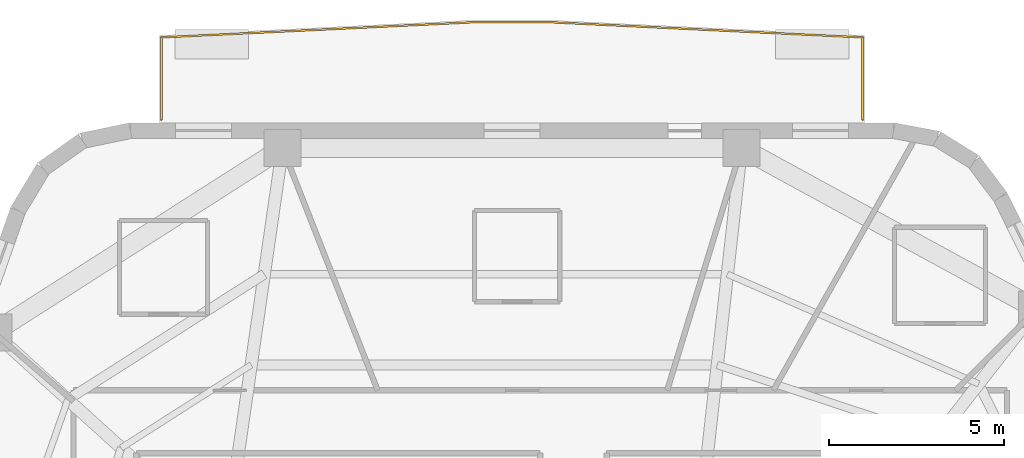
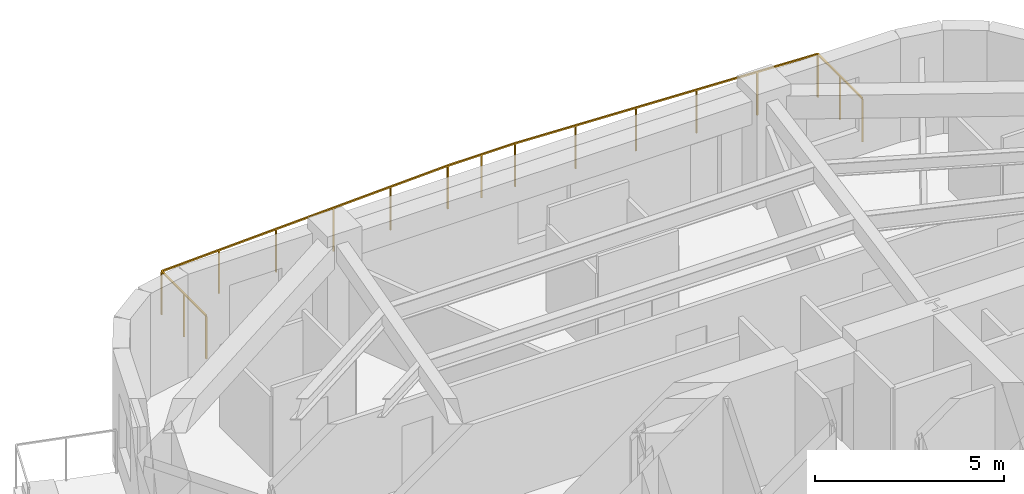
# One storey, part 11 of 11: 1 railing.
"""IFC4 building model written with IfcOpenShell, lengths in metres."""

from ifc_helpers import new_model, si_unit, direction, frame, origin, origin_2d, place, context, subcontext, project, spatial, rectangle, extrude, material, layer, layer_set, type_object, element, save


model = new_model("IFC4")

# Units and contexts
model_context = context("Model", 3, precision=1e-05, world=origin(), true_north=direction((0.0, 1.0)))
body_context = subcontext(model_context, "Body", "Model", "MODEL_VIEW")
ifc_project = project(units=[si_unit("LENGTHUNIT", "METRE"), si_unit("AREAUNIT", "SQUARE_METRE"), si_unit("VOLUMEUNIT", "CUBIC_METRE"), si_unit("PLANEANGLEUNIT", "RADIAN"), si_unit("MASSUNIT", "GRAM", prefix="KILO")], contexts=[model_context])

# Site, building, storey
site_placement = place(None, origin())
site = spatial("IfcSite", under=ifc_project, at=site_placement, CompositionType="ELEMENT")
building_placement = place(site_placement, origin())
building = spatial("IfcBuilding", under=site, at=building_placement, Name="Kilnhurst Terrace Hotel", CompositionType="ELEMENT")
storey_placement = place(building_placement, frame((0.0, 0.0, 197.800048828125)))
storey = spatial("IfcBuildingStorey", under=building, at=storey_placement, Name="L49", CompositionType="ELEMENT", Elevation=197.800048828125)

# Railing
ifc_material = material(Name="Laminated SentryGlas and Stainless Steel AISI 316L Balustrade", Category="steel")
ifc_layer = layer(ifc_material, 0.070068359375, Name="Laminated SentryGlas and Stainless Steel AISI 316L Balustrade")
ifc_layer_set = layer_set([ifc_layer], Name="Laminated SentryGlas and Stainless Steel AISI 316L Balustrade")
railing_type = type_object("IfcRailingType", Name="RLG-BAL-1420", PredefinedType="BALUSTRADE", material=ifc_layer_set)
railing_placement = place(storey_placement, frame((-10.83349609375, 19.580078125, 0.0)))
element("IfcRailing", 1, at=railing_placement, inside=storey, type_object=railing_type, Name="L49 Exterior Terrace Guardrail BAL-L2A.1", PredefinedType="BALUSTRADE", context=body_context, shape_type="SweptSolid", body=[
    extrude(rectangle(XDim=0.048095703125, YDim=0.048095703125, at=origin_2d()), frame((0.0, 0.0, 1.39599609375), z_axis=(0.0, 1.0, 0.0), x_axis=(-1.0, 0.0, 0.0)), (0.0, 0.0, 1.0), 2.36279296875),
    extrude(rectangle(XDim=0.048095703125, YDim=0.048095703125, at=origin_2d()), frame((0.0, 2.36279296875, 1.39599609375), z_axis=(0.998822813861, 0.048507592295, 0.0), x_axis=(-0.048507592295, 0.998822813861, 0.0)), (0.0, 0.0, 1.0), 9.009033203125),
    extrude(rectangle(XDim=0.048095703125, YDim=0.048095703125, at=origin_2d()), frame((8.99853515625, 2.7998046875, 1.39599609375), z_axis=(1.0, 0.0, 0.0), x_axis=(0.0, 1.0, 0.0)), (0.0, 0.0, 1.0), 2.0556640625),
    extrude(rectangle(XDim=0.048095703125, YDim=0.048095703125, at=origin_2d()), frame((11.05419921875, 2.7998046875, 1.39599609375), z_axis=(0.998822813861, -0.048507592295, 0.0), x_axis=(0.048507592295, 0.998822813861, 0.0)), (0.0, 0.0, 1.0), 9.009033203125),
    extrude(rectangle(XDim=0.048095703125, YDim=0.048095703125, at=origin_2d()), frame((20.052734375, 2.36279296875, 1.39599609375), z_axis=(0.0, -1.0, 0.0), x_axis=(1.0, 0.0, 0.0)), (0.0, 0.0, 1.0), 2.36279296875),
    extrude(rectangle(XDim=0.0419921875, YDim=0.0419921875, at=origin_2d()), origin(), (0.0, 0.0, 1.0), 1.371826171875),
    extrude(rectangle(XDim=0.0419921875, YDim=0.0419921875, at=origin_2d()), frame((0.0, 1.181396484375, 0.0)), (0.0, 0.0, 1.0), 1.371826171875),
    extrude(rectangle(XDim=0.0419921875, YDim=0.0419921875, at=origin_2d()), frame((0.0, 2.36279296875, 0.0)), (0.0, 0.0, 1.0), 1.371826171875),
    extrude(rectangle(XDim=0.0419921875, YDim=0.0419921875, at=origin_2d()), frame((1.7998046875, 2.4501953125, 0.0)), (0.0, 0.0, 1.0), 1.371826171875),
    extrude(rectangle(XDim=0.0419921875, YDim=0.0419921875, at=origin_2d()), frame((3.599365234375, 2.53759765625, 0.0)), (0.0, 0.0, 1.0), 1.371826171875),
    extrude(rectangle(XDim=0.0419921875, YDim=0.0419921875, at=origin_2d()), frame((5.399169921875, 2.625, 0.0)), (0.0, 0.0, 1.0), 1.371826171875),
    extrude(rectangle(XDim=0.0419921875, YDim=0.0419921875, at=origin_2d()), frame((7.19873046875, 2.71240234375, 0.0)), (0.0, 0.0, 1.0), 1.371826171875),
    extrude(rectangle(XDim=0.0419921875, YDim=0.0419921875, at=origin_2d()), frame((8.99853515625, 2.7998046875, 0.0)), (0.0, 0.0, 1.0), 1.371826171875),
    extrude(rectangle(XDim=0.0419921875, YDim=0.0419921875, at=origin_2d()), frame((10.0263671875, 2.7998046875, 0.0)), (0.0, 0.0, 1.0), 1.371826171875),
    extrude(rectangle(XDim=0.0419921875, YDim=0.0419921875, at=origin_2d()), frame((11.05419921875, 2.7998046875, 0.0)), (0.0, 0.0, 1.0), 1.371826171875),
    extrude(rectangle(XDim=0.0419921875, YDim=0.0419921875, at=origin_2d()), frame((12.85400390625, 2.71240234375, 0.0)), (0.0, 0.0, 1.0), 1.371826171875),
    extrude(rectangle(XDim=0.0419921875, YDim=0.0419921875, at=origin_2d()), frame((14.653564453125, 2.625, 0.0)), (0.0, 0.0, 1.0), 1.371826171875),
    extrude(rectangle(XDim=0.0419921875, YDim=0.0419921875, at=origin_2d()), frame((16.453369140625, 2.53759765625, 0.0)), (0.0, 0.0, 1.0), 1.371826171875),
    extrude(rectangle(XDim=0.0419921875, YDim=0.0419921875, at=origin_2d()), frame((18.2529296875, 2.4501953125, 0.0)), (0.0, 0.0, 1.0), 1.371826171875),
    extrude(rectangle(XDim=0.0419921875, YDim=0.0419921875, at=origin_2d()), frame((20.052734375, 2.36279296875, 0.0)), (0.0, 0.0, 1.0), 1.371826171875),
    extrude(rectangle(XDim=0.0419921875, YDim=0.0419921875, at=origin_2d()), frame((20.052734375, 1.181396484375, 0.0)), (0.0, 0.0, 1.0), 1.371826171875),
    extrude(rectangle(XDim=0.0419921875, YDim=0.0419921875, at=origin_2d()), frame((20.052734375, 0.0, 0.0)), (0.0, 0.0, 1.0), 1.371826171875),
])

save(model, "model.ifc")
